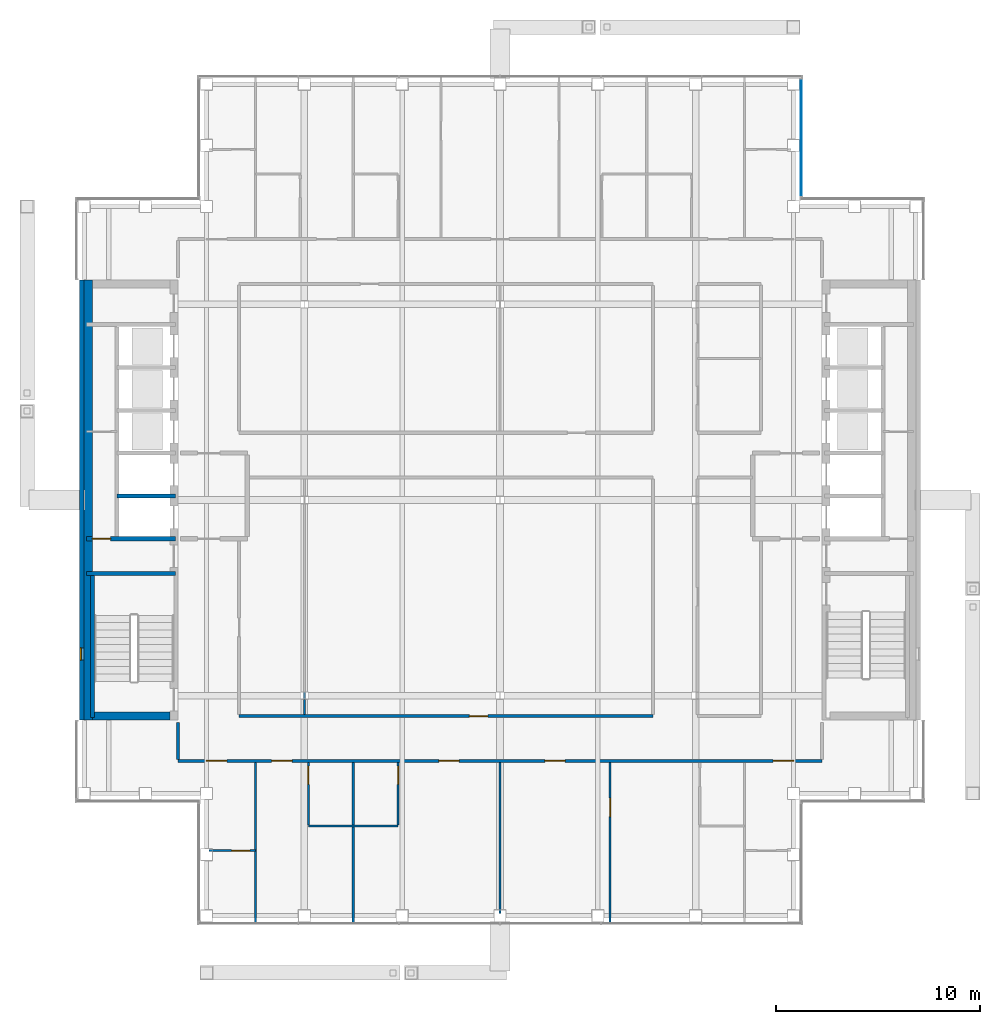
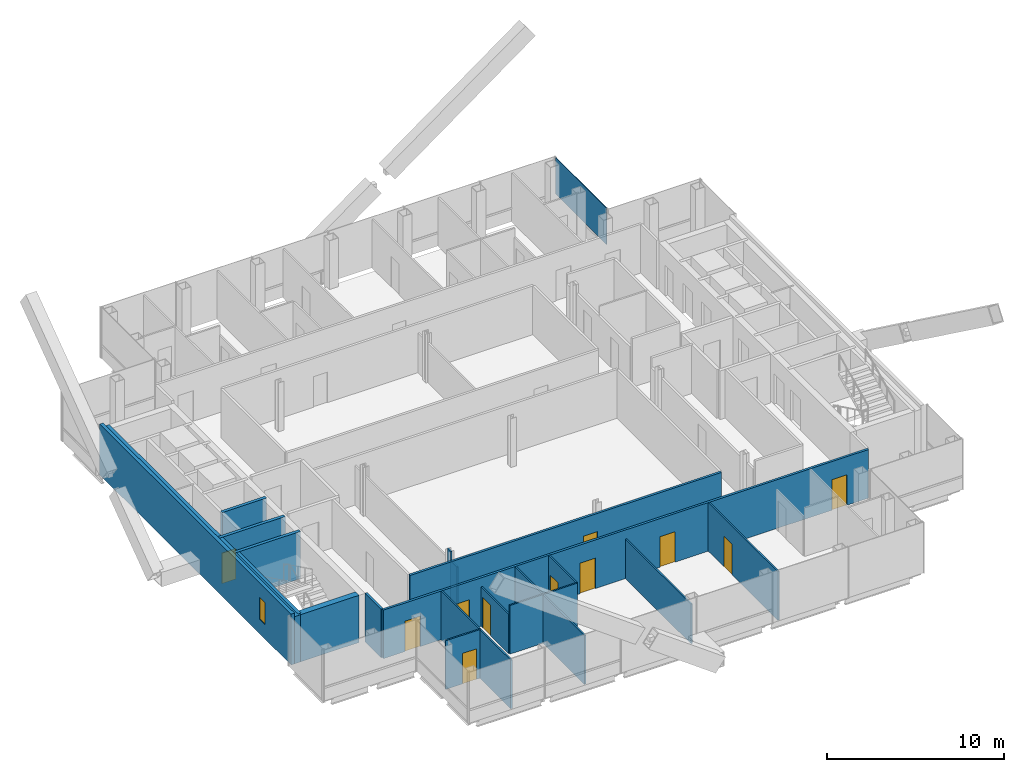
# One storey, part 10 of 15: 21 walls, 11 doors, 1 plate, 1 window, 12 openings, 1 element without a shape of its own.
"""IFC4 building model written with IfcOpenShell, lengths in metres."""

import ifcopenshell
import ifcopenshell.guid

model = None  # the IFC model being written
_history = None  # IfcOwnerHistory: only IFC2X3 demands one
_inside = {}  # id of a spatial element -> (the spatial element, [elements in it])
_under = {}  # id of a project, library or spatial element -> (it, [spatial elements below it])
_declared = {}  # id of a project -> (the project, [libraries it declares])
_typed = {}  # id of a type object -> (the type object, [elements of that type])
_made_of = {}  # id of a material, layer set ... -> (it, [elements and type objects made of it])


def new_model(schema):
    """Start an empty IFC model of exactly this schema.

    Asked for "IFC4X3", IfcOpenShell would pick the latest addendum, in which some entities
    have other attributes; the version numbers below select the first issue.
    IFC2X3 requires an IfcOwnerHistory on every rooted entity: one is made here for all.
    """
    global model, _history
    if schema == "IFC4X3":
        model = ifcopenshell.file(schema_version=(4, 3, 0, 0))
    else:
        model = ifcopenshell.file(schema=schema)
    _inside.clear()
    _under.clear()
    _declared.clear()
    _typed.clear()
    _made_of.clear()
    _history = None
    if model.schema == "IFC2X3":
        org = make("IfcOrganization", Name="unknown")
        user = make(
            "IfcPersonAndOrganization",
            ThePerson=make("IfcPerson", FamilyName="unknown"),
            TheOrganization=org,
        )
        app = make(
            "IfcApplication",
            ApplicationDeveloper=org,
            Version="unknown",
            ApplicationFullName="unknown",
            ApplicationIdentifier="unknown",
        )
        _history = make(
            "IfcOwnerHistory",
            OwningUser=user,
            OwningApplication=app,
            ChangeAction="ADDED",
            CreationDate=0,
        )
    return model


def make(cls, **values):
    """One entity of the class cls with the attributes given. An attribute that is None is left unset."""
    return model.create_entity(
        cls, **{name: value for name, value in values.items() if value is not None}
    )


def rooted(cls, **values):
    """An entity with a GlobalId (a new one), such as an element, a storey or a relation."""
    return make(cls, GlobalId=ifcopenshell.guid.new(), OwnerHistory=_history, **values)


def si_unit(unit_type, name, prefix=None):
    """IfcSIUnit, for example si_unit("LENGTHUNIT", "METRE", prefix="MILLI")."""
    return make("IfcSIUnit", UnitType=unit_type, Prefix=prefix, Name=name)


def assignment(units):
    """IfcUnitAssignment: the units of a project."""
    return None if units is None else make("IfcUnitAssignment", Units=units)


def point(xyz):
    """IfcCartesianPoint."""
    return None if xyz is None else make("IfcCartesianPoint", Coordinates=xyz)


def direction(xyz):
    """IfcDirection."""
    return None if xyz is None else make("IfcDirection", DirectionRatios=xyz)


def frame(location, z_axis=None, x_axis=None):
    """IfcAxis2Placement3D, a coordinate frame: its origin and axes. An axis left out is left unset."""
    return make(
        "IfcAxis2Placement3D",
        Location=point(location),
        Axis=direction(z_axis),
        RefDirection=direction(x_axis),
    )


def frame_2d(location, x_axis=None):
    """IfcAxis2Placement2D, a coordinate frame in the plane: its origin and x axis."""
    return make(
        "IfcAxis2Placement2D", Location=point(location), RefDirection=direction(x_axis)
    )


def origin():
    """The frame at (0, 0, 0) with its axes left unset."""
    return frame((0.0, 0.0, 0.0))


def origin_2d():
    """The frame at (0, 0) in the plane with its x axis left unset."""
    return frame_2d((0.0, 0.0))


def place(relative_to, where):
    """IfcLocalPlacement: puts the frame where relative to a parent placement (None: the world)."""
    return make(
        "IfcLocalPlacement", PlacementRelTo=relative_to, RelativePlacement=where
    )


def context(
    kind, dimensions, precision=None, world=None, true_north=None, identifier=None
):
    """IfcGeometricRepresentationContext, for example the 3D "Model" context."""
    return make(
        "IfcGeometricRepresentationContext",
        ContextIdentifier=identifier,
        ContextType=kind,
        CoordinateSpaceDimension=dimensions,
        Precision=precision,
        WorldCoordinateSystem=world,
        TrueNorth=true_north,
    )


def subcontext(parent, identifier, kind, view, scale=None):
    """IfcGeometricRepresentationSubContext, for example "Body" below "Model"."""
    return make(
        "IfcGeometricRepresentationSubContext",
        ContextIdentifier=identifier,
        ContextType=kind,
        ParentContext=parent,
        TargetScale=scale,
        TargetView=view,
    )


def project(units=None, contexts=None):
    """IfcProject with its units and contexts."""
    return rooted(
        "IfcProject",
        Name="project",
        RepresentationContexts=contexts,
        UnitsInContext=assignment(units),
    )


def spatial(cls, under=None, at=None, **own):
    """A site, building, storey or space (cls), placed at a placement, below another one or the project."""
    s = rooted(cls, ObjectPlacement=at, **own)
    if under is not None:
        _under.setdefault(under.id(), (under, []))[1].append(s)
    return s


def profile(cls, at=None, kind="AREA", **sizes):
    """A parametric profile (cls). Its sizes go by their IFC names, for example OverallWidth=200.0."""
    return make(cls, ProfileType=kind, Position=at, **sizes)


def rectangle(**sizes):
    """IfcRectangleProfileDef."""
    return profile("IfcRectangleProfileDef", **sizes)


def extrude(swept, where, along, depth):
    """IfcExtrudedAreaSolid: the profile swept, set in the frame where, extruded along a direction by depth."""
    return make(
        "IfcExtrudedAreaSolid",
        SweptArea=swept,
        Position=where,
        ExtrudedDirection=direction(along),
        Depth=depth,
    )


def shape(context_of_items, identifier, shape_type, items):
    """IfcShapeRepresentation: the items that make up one representation, for example the "Body"."""
    return make(
        "IfcShapeRepresentation",
        ContextOfItems=context_of_items,
        RepresentationIdentifier=identifier,
        RepresentationType=shape_type,
        Items=items,
    )


def material(Name=None, Category=None):
    """IfcMaterial."""
    return make("IfcMaterial", Name=Name, Category=Category)


def layer(
    of_material, thickness, ventilated=None, Name=None, Category=None, Priority=None
):
    """IfcMaterialLayer: one layer of a wall or slab, of a material (None: an air gap)."""
    return make(
        "IfcMaterialLayer",
        Material=of_material,
        LayerThickness=thickness,
        IsVentilated=ventilated,
        Name=Name,
        Category=Category,
        Priority=Priority,
    )


def layer_set(layers, Name=None):
    """IfcMaterialLayerSet."""
    return make("IfcMaterialLayerSet", MaterialLayers=layers, LayerSetName=Name)


def made_of(thing, what):
    """Note that an element or type object is made of a material, layer set ...; save() writes the relation."""
    if what is not None:
        _made_of.setdefault(what.id(), (what, []))[1].append(thing)
    return thing


def type_object(cls, material=None, **own):
    """A type object (cls), such as IfcWallType, which elements share."""
    return made_of(rooted(cls, **own), material)


def element(
    cls,
    number,
    at=None,
    inside=None,
    cuts=None,
    type_object=None,
    material=None,
    context=None,
    identifier="Body",
    shape_type=None,
    held_by="IfcProductDefinitionShape",
    body=None,
    shapes=None,
    **own,
):
    """One element of the class cls, such as IfcWall. Its Tag is "e" and its number.

    at: its placement. inside: the storey or other place that contains it. cuts: it is an
    opening in that element (IfcRelVoidsElement). A single representation is given by context,
    identifier, shape_type and body (its items); several are given by shapes. held_by: the class
    of the entity that holds the representations. save() writes the other relations.
    """
    e = rooted(cls, Tag="e%d" % number, ObjectPlacement=at, **own)
    if body is not None:
        shapes = [shape(context, identifier, shape_type, body)]
    if shapes is not None:
        e.Representation = make(held_by, Representations=shapes)
    if inside is not None:
        _inside.setdefault(inside.id(), (inside, []))[1].append(e)
    if cuts is not None:
        rooted(
            "IfcRelVoidsElement", RelatingBuildingElement=cuts, RelatedOpeningElement=e
        )
    if type_object is not None:
        _typed.setdefault(type_object.id(), (type_object, []))[1].append(e)
    return made_of(e, material)


def fill(opening, filler):
    """IfcRelFillsElement: the door or window that sits in an opening."""
    return rooted(
        "IfcRelFillsElement",
        RelatingOpeningElement=opening,
        RelatedBuildingElement=filler,
    )


def aggregate(whole, parts):
    """IfcRelAggregates: a whole, such as a stair, and the parts it consists of."""
    return rooted("IfcRelAggregates", RelatingObject=whole, RelatedObjects=parts)


def save(model, path):
    """Write the relations noted so far, then the file.

    IfcRelAggregates (storeys below a building ...), IfcRelContainedInSpatialStructure (elements
    in a storey), IfcRelDefinesByType, IfcRelAssociatesMaterial and IfcRelDeclares: one each for
    every whole, place, type object, material and project.
    """
    for whole, parts in _under.values():
        aggregate(whole, parts)
    for where, things in _inside.values():
        rooted(
            "IfcRelContainedInSpatialStructure",
            RelatedElements=things,
            RelatingStructure=where,
        )
    for kind, things in _typed.values():
        rooted("IfcRelDefinesByType", RelatedObjects=things, RelatingType=kind)
    for what, things in _made_of.values():
        rooted("IfcRelAssociatesMaterial", RelatedObjects=things, RelatingMaterial=what)
    for by, libraries in _declared.values():
        rooted("IfcRelDeclares", RelatingContext=by, RelatedDefinitions=libraries)
    model.write(path)


model = new_model("IFC4")

# Units and contexts
model_context = context("Model", 3, precision=1e-05, world=origin(), true_north=direction((0.0, 1.0)))
body_context = subcontext(model_context, "Body", "Model", "MODEL_VIEW")
ifc_project = project(units=[si_unit("LENGTHUNIT", "METRE"), si_unit("AREAUNIT", "SQUARE_METRE"), si_unit("VOLUMEUNIT", "CUBIC_METRE"), si_unit("PLANEANGLEUNIT", "RADIAN"), si_unit("MASSUNIT", "GRAM", prefix="KILO")], contexts=[model_context])

# Site, building, storey
site_placement = place(None, origin())
site = spatial("IfcSite", under=ifc_project, at=site_placement, CompositionType="ELEMENT")
building_placement = place(site_placement, origin())
building = spatial("IfcBuilding", under=site, at=building_placement, Name="Cobrizo Arcos Hotel Tower", CompositionType="ELEMENT")
storey_placement = place(building_placement, frame((0.0, 0.0, 244.5)))
storey = spatial("IfcBuildingStorey", under=building, at=storey_placement, Name="L64", CompositionType="ELEMENT", Elevation=244.5)

# Curtain wall, plate
ifc_material_1 = material(Name="Aluminium 6063-T6 anodised bronze", Category="aluminium")
curtain_wall_type = type_object("IfcCurtainWallType", Name="CW-A guest facade", PredefinedType="NOTDEFINED", material=ifc_material_1)
curtain_wall_placement = place(storey_placement, origin())
curtain_wall = element("IfcCurtainWall", 1, at=curtain_wall_placement, inside=storey, type_object=curtain_wall_type, Name="CW-A L64 E face", PredefinedType="NOTDEFINED")
ifc_material_2 = material(Name="Glass clear laminated low-e", Category="glass")
ifc_layer_1 = layer(ifc_material_2, 0.0400390625)
ifc_layer_set_1 = layer_set([ifc_layer_1], Name="CW-A glass panel")
plate_type = type_object("IfcPlateType", Name="CW-A glass panel", PredefinedType="CURTAIN_PANEL", material=ifc_layer_set_1)
plate_placement = place(storey_placement, frame((14.77490234375, 17.77490234375, 0.990234375), z_axis=(0.0, 0.0, 1.0), x_axis=(0.0, 1.0, 0.0)))
plate = element("IfcPlate", 2, at=plate_placement, type_object=plate_type, Name="CW-A glass panel 2047", PredefinedType="CURTAIN_PANEL", context=body_context, shape_type="SweptSolid", body=[
    extrude(rectangle(XDim=5.72998046875, YDim=0.0400390625, at=origin_2d()), origin(), (0.0, 0.0, 1.0), 2.510009765625),
])
aggregate(curtain_wall, [plate])

# Wall, openings, doors
ifc_material_3 = material(Name="Gypsum board partition")
ifc_layer_2 = layer(ifc_material_3, 0.14990234375)
ifc_layer_set_2 = layer_set([ifc_layer_2], Name="Corridor wall EI 60 150")
wall_type_1 = type_object("IfcWallType", Name="Corridor wall EI 60 150", PredefinedType="PARTITIONING", material=ifc_layer_set_2)
wall_1_placement = place(storey_placement, frame((-15.800048828125, -12.800048828125, 0.0), z_axis=(0.0, 0.0, 1.0), x_axis=(1.0, 0.0, 0.0)))
wall_1 = element("IfcWall", 3, at=wall_1_placement, inside=storey, type_object=wall_type_1, Name="Partition 005", PredefinedType="PARTITIONING", context=body_context, shape_type="SweptSolid", body=[
    extrude(rectangle(XDim=31.60009765625, YDim=0.14990234375, at=frame_2d((15.800048828125, 0.0))), origin(), (0.0, 0.0, 1.0), 3.35009765625),
])
opening_1_placement = place(wall_1_placement, frame((4.60009765625, 0.0, 0.0)))
opening_1 = element("IfcOpeningElement", 4, at=opening_1_placement, cuts=wall_1, Name="Opening GD-03", PredefinedType="OPENING", context=body_context, shape_type="SweptSolid", body=[
    extrude(rectangle(XDim=1.0, YDim=2.10009765625, at=frame_2d((0.5, 1.050048828125))), frame((0.0, 0.0869140625, 0.0), z_axis=(0.0, -1.0, 0.0), x_axis=(1.0, 0.0, 0.0)), (0.0, 0.0, 1.0), 0.173828125),
])
opening_2_placement = place(wall_1_placement, frame((12.800048828125, 0.0, 0.0)))
opening_2 = element("IfcOpeningElement", 5, at=opening_2_placement, cuts=wall_1, Name="Opening GD-04", PredefinedType="OPENING", context=body_context, shape_type="SweptSolid", body=[
    extrude(rectangle(XDim=1.0, YDim=2.10009765625, at=frame_2d((0.5, 1.050048828125))), frame((0.0, 0.0869140625, 0.0), z_axis=(0.0, -1.0, 0.0), x_axis=(1.0, 0.0, 0.0)), (0.0, 0.0, 1.0), 0.173828125),
])
opening_3_placement = place(wall_1_placement, frame((18.0, 0.0, 0.0)))
opening_3 = element("IfcOpeningElement", 6, at=opening_3_placement, cuts=wall_1, Name="Opening GD-05", PredefinedType="OPENING", context=body_context, shape_type="SweptSolid", body=[
    extrude(rectangle(XDim=1.0, YDim=2.10009765625, at=frame_2d((0.5, 1.050048828125))), frame((0.0, 0.0869140625, 0.0), z_axis=(0.0, -1.0, 0.0), x_axis=(1.0, 0.0, 0.0)), (0.0, 0.0, 1.0), 0.173828125),
])
opening_4_placement = place(wall_1_placement, frame((1.39990234375, 0.0, 0.0)))
opening_4 = element("IfcOpeningElement", 7, at=opening_4_placement, cuts=wall_1, Name="Opening GD-06", PredefinedType="OPENING", context=body_context, shape_type="SweptSolid", body=[
    extrude(rectangle(XDim=1.0, YDim=2.10009765625, at=frame_2d((0.5, 1.050048828125))), frame((0.0, 0.0869140625, 0.0), z_axis=(0.0, -1.0, 0.0), x_axis=(1.0, 0.0, 0.0)), (0.0, 0.0, 1.0), 0.173828125),
])
opening_5_placement = place(wall_1_placement, frame((29.199951171875, 0.0, 0.0)))
opening_5 = element("IfcOpeningElement", 8, at=opening_5_placement, cuts=wall_1, Name="Opening GD-08", PredefinedType="OPENING", context=body_context, shape_type="SweptSolid", body=[
    extrude(rectangle(XDim=1.0, YDim=2.10009765625, at=frame_2d((0.5, 1.050048828125))), frame((0.0, 0.0869140625, 0.0), z_axis=(0.0, -1.0, 0.0), x_axis=(1.0, 0.0, 0.0)), (0.0, 0.0, 1.0), 0.173828125),
])
ifc_material_4 = material(Name="Timber door leaf", Category="wood")
door_type_1 = type_object("IfcDoorType", Name="Guest room door FD30S 1000x2100", OperationType="SINGLE_SWING_LEFT", PredefinedType="DOOR", material=ifc_material_4)
door_1_placement = place(opening_1_placement, origin())
door_1 = element("IfcDoor", 9, at=door_1_placement, inside=storey, type_object=door_type_1, Name="Door GD-03", OperationType="SINGLE_SWING_LEFT", OverallHeight=2.10009765625, OverallWidth=1.0, PredefinedType="DOOR", context=body_context, shape_type="SweptSolid", body=[
    extrude(rectangle(XDim=1.0, YDim=2.10009765625, at=frame_2d((0.5, 1.050048828125))), frame((0.0, 0.02490234375, 0.0), z_axis=(0.0, -1.0, 0.0), x_axis=(1.0, 0.0, 0.0)), (0.0, 0.0, 1.0), 0.050048828125),
])
fill(opening_1, door_1)
door_2_placement = place(opening_2_placement, origin())
door_2 = element("IfcDoor", 10, at=door_2_placement, inside=storey, type_object=door_type_1, Name="Door GD-04", OperationType="SINGLE_SWING_LEFT", OverallHeight=2.10009765625, OverallWidth=1.0, PredefinedType="DOOR", context=body_context, shape_type="SweptSolid", body=[
    extrude(rectangle(XDim=1.0, YDim=2.10009765625, at=frame_2d((0.5, 1.050048828125))), frame((0.0, 0.02490234375, 0.0), z_axis=(0.0, -1.0, 0.0), x_axis=(1.0, 0.0, 0.0)), (0.0, 0.0, 1.0), 0.050048828125),
])
fill(opening_2, door_2)
door_3_placement = place(opening_3_placement, origin())
door_3 = element("IfcDoor", 11, at=door_3_placement, inside=storey, type_object=door_type_1, Name="Door GD-05", OperationType="SINGLE_SWING_RIGHT", OverallHeight=2.10009765625, OverallWidth=1.0, PredefinedType="DOOR", context=body_context, shape_type="SweptSolid", body=[
    extrude(rectangle(XDim=1.0, YDim=2.10009765625, at=frame_2d((0.5, 1.050048828125))), frame((0.0, 0.02490234375, 0.0), z_axis=(0.0, -1.0, 0.0), x_axis=(1.0, 0.0, 0.0)), (0.0, 0.0, 1.0), 0.050048828125),
])
fill(opening_3, door_3)
door_4_placement = place(opening_4_placement, origin())
door_4 = element("IfcDoor", 12, at=door_4_placement, inside=storey, type_object=door_type_1, Name="Door GD-06", OperationType="SINGLE_SWING_LEFT", OverallHeight=2.10009765625, OverallWidth=1.0, PredefinedType="DOOR", context=body_context, shape_type="SweptSolid", body=[
    extrude(rectangle(XDim=1.0, YDim=2.10009765625, at=frame_2d((0.5, 1.050048828125))), frame((0.0, 0.02490234375, 0.0), z_axis=(0.0, -1.0, 0.0), x_axis=(1.0, 0.0, 0.0)), (0.0, 0.0, 1.0), 0.050048828125),
])
fill(opening_4, door_4)
door_5_placement = place(opening_5_placement, origin())
door_5 = element("IfcDoor", 13, at=door_5_placement, inside=storey, type_object=door_type_1, Name="Door GD-08", OperationType="SINGLE_SWING_LEFT", OverallHeight=2.10009765625, OverallWidth=1.0, PredefinedType="DOOR", context=body_context, shape_type="SweptSolid", body=[
    extrude(rectangle(XDim=1.0, YDim=2.10009765625, at=frame_2d((0.5, 1.050048828125))), frame((0.0, 0.02490234375, 0.0), z_axis=(0.0, -1.0, 0.0), x_axis=(1.0, 0.0, 0.0)), (0.0, 0.0, 1.0), 0.050048828125),
])
fill(opening_5, door_5)

# Wall, opening, door
wall_2_placement = place(storey_placement, frame((-12.800048828125, -10.60009765625, 0.0), z_axis=(0.0, 0.0, 1.0), x_axis=(1.0, 0.0, 0.0)))
wall_2 = element("IfcWall", 14, at=wall_2_placement, inside=storey, type_object=wall_type_1, Name="Partition 006", PredefinedType="PARTITIONING", context=body_context, shape_type="SweptSolid", body=[
    extrude(rectangle(XDim=20.300048828125, YDim=0.14990234375, at=frame_2d((10.14990234375, 0.0))), origin(), (0.0, 0.0, 1.0), 3.35009765625),
])
opening_6_placement = place(wall_2_placement, frame((11.300048828125, 0.0, 0.0)))
opening_6 = element("IfcOpeningElement", 15, at=opening_6_placement, cuts=wall_2, Name="Opening RD-15", PredefinedType="OPENING", context=body_context, shape_type="SweptSolid", body=[
    extrude(rectangle(XDim=0.89990234375, YDim=2.10009765625, at=frame_2d((0.449951171875, 1.050048828125))), frame((0.0, 0.0869140625, 0.0), z_axis=(0.0, -1.0, 0.0), x_axis=(1.0, 0.0, 0.0)), (0.0, 0.0, 1.0), 0.173828125),
])
door_type_2 = type_object("IfcDoorType", Name="Room door FD30 900x2100", OperationType="SINGLE_SWING_LEFT", PredefinedType="DOOR", material=ifc_material_4)
door_6_placement = place(opening_6_placement, origin())
door_6 = element("IfcDoor", 16, at=door_6_placement, inside=storey, type_object=door_type_2, Name="Door RD-15", OperationType="SINGLE_SWING_RIGHT", OverallHeight=2.10009765625, OverallWidth=0.89990234375, PredefinedType="DOOR", context=body_context, shape_type="SweptSolid", body=[
    extrude(rectangle(XDim=0.89990234375, YDim=2.10009765625, at=frame_2d((0.449951171875, 1.050048828125))), frame((0.0, 0.02490234375, 0.0), z_axis=(0.0, -1.0, 0.0), x_axis=(1.0, 0.0, 0.0)), (0.0, 0.0, 1.0), 0.050048828125),
])
fill(opening_6, door_6)

# Wall
wall_3_placement = place(storey_placement, frame((-15.800048828125, -12.72509765625, 0.0), z_axis=(0.0, 0.0, 1.0), x_axis=(0.0, 1.0, 0.0)))
element("IfcWall", 17, at=wall_3_placement, inside=storey, type_object=wall_type_1, Name="Partition 043", PredefinedType="PARTITIONING", context=body_context, shape_type="SweptSolid", body=[
    extrude(rectangle(XDim=1.80517578125, YDim=0.14990234375, at=frame_2d((0.902587890625, 0.0))), origin(), (0.0, 0.0, 1.0), 3.35009765625),
])

# Wall, opening, window
ifc_material_5 = material(Name="Aluminium composite panel pale metal", Category="aluminium")
ifc_layer_3 = layer(ifc_material_5, 0.22509765625)
ifc_layer_set_3 = layer_set([ifc_layer_3], Name="EW-1 insulated panel wall 225")
wall_type_2 = type_object("IfcWallType", Name="EW-1 insulated panel wall 225", PredefinedType="SOLIDWALL", material=ifc_layer_set_3)
wall_4_placement = place(storey_placement, frame((-20.512451171875, 10.800048828125, 0.0), z_axis=(0.0, 0.0, 1.0), x_axis=(0.0, -1.0, 0.0)))
wall_4 = element("IfcWall", 18, at=wall_4_placement, inside=storey, type_object=wall_type_2, Name="Core face wall L64 W", PredefinedType="SOLIDWALL", context=body_context, shape_type="SweptSolid", body=[
    extrude(rectangle(XDim=21.60009765625, YDim=0.22509765625, at=frame_2d((10.800048828125, 0.0))), origin(), (0.0, 0.0, 1.0), 3.5),
])
opening_7_placement = place(wall_4_placement, frame((18.050048828125, 0.0, 1.0)))
opening_7 = element("IfcOpeningElement", 19, at=opening_7_placement, cuts=wall_4, Name="Opening W-148", PredefinedType="OPENING", context=body_context, shape_type="SweptSolid", body=[
    extrude(rectangle(XDim=0.60009765625, YDim=1.5, at=frame_2d((0.300048828125, 0.75))), frame((0.0, 0.12451171875, 0.0), z_axis=(0.0, -1.0, 0.0), x_axis=(1.0, 0.0, 0.0)), (0.0, 0.0, 1.0), 0.2490234375),
])
ifc_material_6 = material(Name="Aluminium 6063-T6 and clear laminated glass", Category="aluminium")
window_type = type_object("IfcWindowType", Name="W-C1 core stair slot window 600x1500", PartitioningType="SINGLE_PANEL", PredefinedType="WINDOW", material=ifc_material_6)
window_placement = place(opening_7_placement, origin())
window = element("IfcWindow", 20, at=window_placement, inside=storey, type_object=window_type, Name="Core face wall L64 W window W-148", OverallHeight=1.5, OverallWidth=0.60009765625, PartitioningType="SINGLE_PANEL", PredefinedType="WINDOW", context=body_context, shape_type="SweptSolid", body=[
    extrude(rectangle(XDim=0.60009765625, YDim=1.5, at=frame_2d((0.300048828125, 0.75))), frame((0.0, -0.0224609375, 0.0), z_axis=(0.0, -1.0, 0.0), x_axis=(1.0, 0.0, 0.0)), (0.0, 0.0, 1.0), 0.06005859375),
])
fill(opening_7, window)

# Wall, opening, door
ifc_layer_4 = layer(ifc_material_3, 0.10009765625)
ifc_layer_set_4 = layer_set([ifc_layer_4], Name="Partition EI 30 100")
wall_type_3 = type_object("IfcWallType", Name="Partition EI 30 100", PredefinedType="PARTITIONING", material=ifc_layer_set_4)
wall_5_placement = place(storey_placement, frame((-14.280029296875, -17.199951171875, 0.0), z_axis=(0.0, 0.0, 1.0), x_axis=(1.0, 0.0, 0.0)))
wall_5 = element("IfcWall", 21, at=wall_5_placement, inside=storey, type_object=wall_type_3, Name="Partition 001", PredefinedType="PARTITIONING", context=body_context, shape_type="SweptSolid", body=[
    extrude(rectangle(XDim=2.280029296875, YDim=0.10009765625, at=frame_2d((1.14013671875, 0.0))), origin(), (0.0, 0.0, 1.0), 3.35009765625),
])
opening_8_placement = place(wall_5_placement, frame((1.110107421875, 0.0, 0.0)))
opening_8 = element("IfcOpeningElement", 22, at=opening_8_placement, cuts=wall_5, Name="Opening ED-08", PredefinedType="OPENING", context=body_context, shape_type="SweptSolid", body=[
    extrude(rectangle(XDim=0.89990234375, YDim=2.10009765625, at=frame_2d((0.449951171875, 1.050048828125))), frame((0.0, 0.06201171875, 0.0), z_axis=(0.0, -1.0, 0.0), x_axis=(1.0, 0.0, 0.0)), (0.0, 0.0, 1.0), 0.1240234375),
])
door_type_3 = type_object("IfcDoorType", Name="En-suite door 900x2100", OperationType="SINGLE_SWING_LEFT", PredefinedType="DOOR", material=ifc_material_4)
door_7_placement = place(opening_8_placement, origin())
door_7 = element("IfcDoor", 23, at=door_7_placement, inside=storey, type_object=door_type_3, Name="Door ED-08", OperationType="SINGLE_SWING_RIGHT", OverallHeight=2.10009765625, OverallWidth=0.89990234375, PredefinedType="DOOR", context=body_context, shape_type="SweptSolid", body=[
    extrude(rectangle(XDim=0.89990234375, YDim=2.10009765625, at=frame_2d((0.449951171875, 1.050048828125))), frame((0.0, 0.02490234375, 0.0), z_axis=(0.0, -1.0, 0.0), x_axis=(1.0, 0.0, 0.0)), (0.0, 0.0, 1.0), 0.050048828125),
])
fill(opening_8, door_7)

# Walls
wall_6_placement = place(storey_placement, frame((-9.39990234375, -16.0, 0.0), z_axis=(0.0, 0.0, 1.0), x_axis=(1.0, 0.0, 0.0)))
element("IfcWall", 24, at=wall_6_placement, inside=storey, type_object=wall_type_3, Name="Partition 003", PredefinedType="PARTITIONING", context=body_context, shape_type="SweptSolid", body=[
    extrude(rectangle(XDim=4.39990234375, YDim=0.10009765625, at=frame_2d((2.199951171875, 0.0))), origin(), (0.0, 0.0, 1.0), 3.35009765625),
])
wall_7_placement = place(storey_placement, frame((-12.0, -20.72998046875, 0.0), z_axis=(0.0, 0.0, 1.0), x_axis=(0.0, 1.0, 0.0)))
element("IfcWall", 25, at=wall_7_placement, inside=storey, type_object=wall_type_3, Name="Partition 048", PredefinedType="PARTITIONING", context=body_context, shape_type="SweptSolid", body=[
    extrude(rectangle(XDim=7.85498046875, YDim=0.10009765625, at=frame_2d((3.927490234375, 0.0))), origin(), (0.0, 0.0, 1.0), 3.35009765625),
])
wall_8_placement = place(storey_placement, frame((-9.60009765625, -10.52490234375, 0.0), z_axis=(0.0, 0.0, 1.0), x_axis=(0.0, 1.0, 0.0)))
element("IfcWall", 26, at=wall_8_placement, inside=storey, type_object=wall_type_3, Name="Partition 051", PredefinedType="PARTITIONING", context=body_context, shape_type="SweptSolid", body=[
    extrude(rectangle(XDim=0.740966796875, YDim=0.10009765625, at=frame_2d((0.37060546875, 0.0))), origin(), (0.0, 0.0, 1.0), 2.72802734375),
])
wall_9_placement = place(storey_placement, frame((-9.60009765625, -9.783935546875, 0.0), z_axis=(0.0, 0.0, 1.0), x_axis=(0.0, 1.0, 0.0)))
element("IfcWall", 27, at=wall_9_placement, inside=storey, type_object=wall_type_3, Name="Partition 052", PredefinedType="PARTITIONING", context=body_context, shape_type="SweptSolid", body=[
    extrude(rectangle(XDim=0.367919921875, YDim=0.10009765625, at=frame_2d((0.18408203125, 0.0))), origin(), (0.0, 0.0, 1.0), 3.35009765625),
])

# Wall, opening, door
wall_10_placement = place(storey_placement, frame((-9.39990234375, -15.949951171875, 0.0), z_axis=(0.0, 0.0, 1.0), x_axis=(0.0, 1.0, 0.0)))
wall_10 = element("IfcWall", 28, at=wall_10_placement, inside=storey, type_object=wall_type_3, Name="Partition 056", PredefinedType="PARTITIONING", context=body_context, shape_type="SweptSolid", body=[
    extrude(rectangle(XDim=3.074951171875, YDim=0.10009765625, at=frame_2d((1.53759765625, 0.0))), origin(), (0.0, 0.0, 1.0), 2.72802734375),
])
opening_9_placement = place(wall_10_placement, frame((1.99609375, 0.0, 0.0)))
opening_9 = element("IfcOpeningElement", 29, at=opening_9_placement, cuts=wall_10, Name="Opening ED-05", PredefinedType="OPENING", context=body_context, shape_type="SweptSolid", body=[
    extrude(rectangle(XDim=0.89990234375, YDim=2.10009765625, at=frame_2d((0.449951171875, 1.050048828125))), frame((0.0, 0.06201171875, 0.0), z_axis=(0.0, -1.0, 0.0), x_axis=(1.0, 0.0, 0.0)), (0.0, 0.0, 1.0), 0.1240234375),
])
door_8_placement = place(opening_9_placement, origin())
door_8 = element("IfcDoor", 30, at=door_8_placement, inside=storey, type_object=door_type_3, Name="Door ED-05", OperationType="SINGLE_SWING_LEFT", OverallHeight=2.10009765625, OverallWidth=0.89990234375, PredefinedType="DOOR", context=body_context, shape_type="SweptSolid", body=[
    extrude(rectangle(XDim=0.89990234375, YDim=2.10009765625, at=frame_2d((0.449951171875, 1.050048828125))), frame((0.0, 0.02490234375, 0.0), z_axis=(0.0, -1.0, 0.0), x_axis=(1.0, 0.0, 0.0)), (0.0, 0.0, 1.0), 0.050048828125),
])
fill(opening_9, door_8)

# Walls
wall_11_placement = place(storey_placement, frame((-7.199951171875, -20.72998046875, 0.0), z_axis=(0.0, 0.0, 1.0), x_axis=(0.0, 1.0, 0.0)))
element("IfcWall", 31, at=wall_11_placement, inside=storey, type_object=wall_type_3, Name="Partition 057", PredefinedType="PARTITIONING", context=body_context, shape_type="SweptSolid", body=[
    extrude(rectangle(XDim=4.679931640625, YDim=0.10009765625, at=frame_2d((2.33984375, 0.0))), origin(), (0.0, 0.0, 1.0), 3.35009765625),
])
wall_12_placement = place(storey_placement, frame((-7.199951171875, -15.949951171875, 0.0), z_axis=(0.0, 0.0, 1.0), x_axis=(0.0, 1.0, 0.0)))
element("IfcWall", 32, at=wall_12_placement, inside=storey, type_object=wall_type_3, Name="Partition 058", PredefinedType="PARTITIONING", context=body_context, shape_type="SweptSolid", body=[
    extrude(rectangle(XDim=3.074951171875, YDim=0.10009765625, at=frame_2d((1.53759765625, 0.0))), origin(), (0.0, 0.0, 1.0), 3.35009765625),
])

# Wall, opening, door
wall_13_placement = place(storey_placement, frame((-5.0, -15.949951171875, 0.0), z_axis=(0.0, 0.0, 1.0), x_axis=(0.0, 1.0, 0.0)))
wall_13 = element("IfcWall", 33, at=wall_13_placement, inside=storey, type_object=wall_type_3, Name="Partition 060", PredefinedType="PARTITIONING", context=body_context, shape_type="SweptSolid", body=[
    extrude(rectangle(XDim=3.074951171875, YDim=0.10009765625, at=frame_2d((1.53759765625, 0.0))), origin(), (0.0, 0.0, 1.0), 3.35009765625),
])
opening_10_placement = place(wall_13_placement, frame((1.99609375, 0.0, 0.0)))
opening_10 = element("IfcOpeningElement", 34, at=opening_10_placement, cuts=wall_13, Name="Opening ED-06", PredefinedType="OPENING", context=body_context, shape_type="SweptSolid", body=[
    extrude(rectangle(XDim=0.89990234375, YDim=2.10009765625, at=frame_2d((0.449951171875, 1.050048828125))), frame((0.0, 0.06201171875, 0.0), z_axis=(0.0, -1.0, 0.0), x_axis=(1.0, 0.0, 0.0)), (0.0, 0.0, 1.0), 0.1240234375),
])
door_9_placement = place(opening_10_placement, origin())
door_9 = element("IfcDoor", 35, at=door_9_placement, inside=storey, type_object=door_type_3, Name="Door ED-06", OperationType="SINGLE_SWING_LEFT", OverallHeight=2.10009765625, OverallWidth=0.89990234375, PredefinedType="DOOR", context=body_context, shape_type="SweptSolid", body=[
    extrude(rectangle(XDim=0.89990234375, YDim=2.10009765625, at=frame_2d((0.449951171875, 1.050048828125))), frame((0.0, 0.02490234375, 0.0), z_axis=(0.0, -1.0, 0.0), x_axis=(1.0, 0.0, 0.0)), (0.0, 0.0, 1.0), 0.050048828125),
])
fill(opening_10, door_9)

# Wall
wall_14_placement = place(storey_placement, frame((0.0, -20.280029296875, 0.0), z_axis=(0.0, 0.0, 1.0), x_axis=(0.0, 1.0, 0.0)))
element("IfcWall", 36, at=wall_14_placement, inside=storey, type_object=wall_type_3, Name="Partition 063", PredefinedType="PARTITIONING", context=body_context, shape_type="SweptSolid", body=[
    extrude(rectangle(XDim=7.405029296875, YDim=0.10009765625, at=frame_2d((3.70263671875, 0.0))), origin(), (0.0, 0.0, 1.0), 2.72802734375),
])

# Wall, opening, door
wall_15_placement = place(storey_placement, frame((5.39990234375, -20.72998046875, 0.0), z_axis=(0.0, 0.0, 1.0), x_axis=(0.0, 1.0, 0.0)))
wall_15 = element("IfcWall", 37, at=wall_15_placement, inside=storey, type_object=wall_type_3, Name="Partition 069", PredefinedType="PARTITIONING", context=body_context, shape_type="SweptSolid", body=[
    extrude(rectangle(XDim=7.85498046875, YDim=0.10009765625, at=frame_2d((3.927490234375, 0.0))), origin(), (0.0, 0.0, 1.0), 3.35009765625),
])
opening_11_placement = place(wall_15_placement, frame((5.199951171875, 0.0, 0.0)))
opening_11 = element("IfcOpeningElement", 38, at=opening_11_placement, cuts=wall_15, Name="Opening RD-10", PredefinedType="OPENING", context=body_context, shape_type="SweptSolid", body=[
    extrude(rectangle(XDim=0.89990234375, YDim=2.10009765625, at=frame_2d((0.449951171875, 1.050048828125))), frame((0.0, 0.06201171875, 0.0), z_axis=(0.0, -1.0, 0.0), x_axis=(1.0, 0.0, 0.0)), (0.0, 0.0, 1.0), 0.1240234375),
])
door_10_placement = place(opening_11_placement, origin())
door_10 = element("IfcDoor", 39, at=door_10_placement, inside=storey, type_object=door_type_2, Name="Door RD-10", OperationType="SINGLE_SWING_RIGHT", OverallHeight=2.10009765625, OverallWidth=0.89990234375, PredefinedType="DOOR", context=body_context, shape_type="SweptSolid", body=[
    extrude(rectangle(XDim=0.89990234375, YDim=2.10009765625, at=frame_2d((0.449951171875, 1.050048828125))), frame((0.0, 0.02490234375, 0.0), z_axis=(0.0, -1.0, 0.0), x_axis=(1.0, 0.0, 0.0)), (0.0, 0.0, 1.0), 0.050048828125),
])
fill(opening_11, door_10)

# Walls
ifc_material_7 = material(Name="Concrete f'c 40 MPa", Category="concrete")
ifc_layer_5 = layer(ifc_material_7, 0.39990234375)
ifc_layer_set_5 = layer_set([ifc_layer_5], Name="RC core wall 400 f'c 40")
wall_type_4 = type_object("IfcWallType", Name="RC core wall 400 f'c 40", PredefinedType="SHEAR", material=ifc_layer_set_5)
wall_16_placement = place(storey_placement, frame((-20.199951171875, -10.800048828125, 0.0), z_axis=(0.0, 0.0, 1.0), x_axis=(0.0, 1.0, 0.0)))
element("IfcWall", 40, at=wall_16_placement, inside=storey, type_object=wall_type_4, Name="Core wall CW4, west core, outer face, L64", PredefinedType="SHEAR", context=body_context, shape_type="SweptSolid", body=[
    extrude(rectangle(XDim=21.60009765625, YDim=0.39990234375, at=frame_2d((10.800048828125, 0.0))), origin(), (0.0, 0.0, 1.0), 3.25),
])
wall_17_placement = place(storey_placement, frame((-20.0, -10.60009765625, 0.0), z_axis=(0.0, 0.0, 1.0), x_axis=(1.0, 0.0, 0.0)))
element("IfcWall", 41, at=wall_17_placement, inside=storey, type_object=wall_type_4, Name="Core wall CW4, west core, south end, L64", PredefinedType="SHEAR", context=body_context, shape_type="SweptSolid", body=[
    extrude(rectangle(XDim=3.800048828125, YDim=0.39990234375, at=frame_2d((1.89990234375, 0.0))), origin(), (0.0, 0.0, 1.0), 3.25),
])

# Wall, opening, door
ifc_layer_6 = layer(ifc_material_3, 0.199951171875)
ifc_layer_set_6 = layer_set([ifc_layer_6], Name="Shaft wall EI 120 200")
wall_type_5 = type_object("IfcWallType", Name="Shaft wall EI 120 200", PredefinedType="PARTITIONING", material=ifc_layer_set_6)
wall_18_placement = place(storey_placement, frame((-20.280029296875, -1.89990234375, 0.0), z_axis=(0.0, 0.0, 1.0), x_axis=(1.0, 0.0, 0.0)))
wall_18 = element("IfcWall", 42, at=wall_18_placement, inside=storey, type_object=wall_type_5, Name="Partition 010", PredefinedType="PARTITIONING", context=body_context, shape_type="SweptSolid", body=[
    extrude(rectangle(XDim=4.360107421875, YDim=0.199951171875, at=frame_2d((2.18017578125, 0.0))), origin(), (0.0, 0.0, 1.0), 3.25),
])
opening_12_placement = place(wall_18_placement, frame((0.280029296875, 0.0, 0.0)))
opening_12 = element("IfcOpeningElement", 43, at=opening_12_placement, cuts=wall_18, Name="Opening RD-02", PredefinedType="OPENING", context=body_context, shape_type="SweptSolid", body=[
    extrude(rectangle(XDim=0.89990234375, YDim=2.10009765625, at=frame_2d((0.449951171875, 1.050048828125))), frame((0.0, 0.112060546875, 0.0), z_axis=(0.0, -1.0, 0.0), x_axis=(1.0, 0.0, 0.0)), (0.0, 0.0, 1.0), 0.223876953125),
])
door_11_placement = place(opening_12_placement, origin())
door_11 = element("IfcDoor", 44, at=door_11_placement, inside=storey, type_object=door_type_2, Name="Door RD-02", OperationType="SINGLE_SWING_RIGHT", OverallHeight=2.10009765625, OverallWidth=0.89990234375, PredefinedType="DOOR", context=body_context, shape_type="SweptSolid", body=[
    extrude(rectangle(XDim=0.89990234375, YDim=2.10009765625, at=frame_2d((0.449951171875, 1.050048828125))), frame((0.0, 0.02490234375, 0.0), z_axis=(0.0, -1.0, 0.0), x_axis=(1.0, 0.0, 0.0)), (0.0, 0.0, 1.0), 0.050048828125),
])
fill(opening_12, door_11)

# Walls
wall_19_placement = place(storey_placement, frame((-18.800048828125, 0.199951171875, 0.0), z_axis=(0.0, 0.0, 1.0), x_axis=(1.0, 0.0, 0.0)))
element("IfcWall", 45, at=wall_19_placement, inside=storey, type_object=wall_type_5, Name="Partition 014", PredefinedType="PARTITIONING", context=body_context, shape_type="SweptSolid", body=[
    extrude(rectangle(XDim=2.880126953125, YDim=0.199951171875, at=frame_2d((1.43994140625, 0.0))), origin(), (0.0, 0.0, 1.0), 3.25),
])
ifc_layer_7 = layer(ifc_material_7, 0.199951171875)
ifc_layer_set_7 = layer_set([ifc_layer_7], Name="Stair shaft wall 200")
wall_type_6 = type_object("IfcWallType", Name="Stair shaft wall 200", PredefinedType="SHEAR", material=ifc_layer_set_7)
wall_20_placement = place(storey_placement, frame((-20.280029296875, -3.60009765625, 0.0), z_axis=(0.0, 0.0, 1.0), x_axis=(1.0, 0.0, 0.0)))
element("IfcWall", 46, at=wall_20_placement, inside=storey, type_object=wall_type_6, Name="Stair shaft wall W", PredefinedType="SHEAR", context=body_context, shape_type="SweptSolid", body=[
    extrude(rectangle(XDim=4.360107421875, YDim=0.199951171875, at=frame_2d((2.18017578125, 0.0))), origin(), (0.0, 0.0, 1.0), 3.25),
])
wall_21_placement = place(storey_placement, frame((-20.0, -10.679931640625, 0.0), z_axis=(0.0, 0.0, 1.0), x_axis=(0.0, 1.0, 0.0)))
element("IfcWall", 47, at=wall_21_placement, inside=storey, type_object=wall_type_6, Name="Stair shaft wall W", PredefinedType="SHEAR", context=body_context, shape_type="SweptSolid", body=[
    extrude(rectangle(XDim=6.97998046875, YDim=0.199951171875, at=frame_2d((3.489990234375, 0.0))), origin(), (0.0, 0.0, 1.0), 3.25),
])

save(model, "model.ifc")
